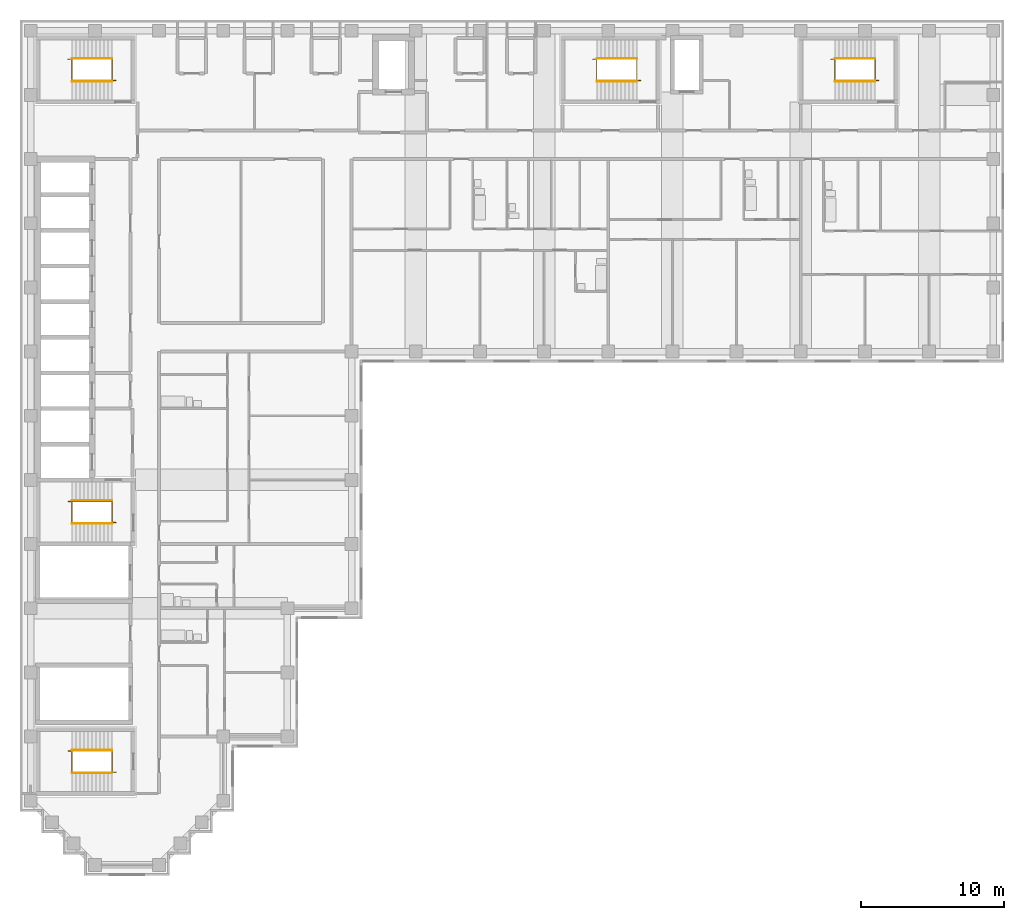
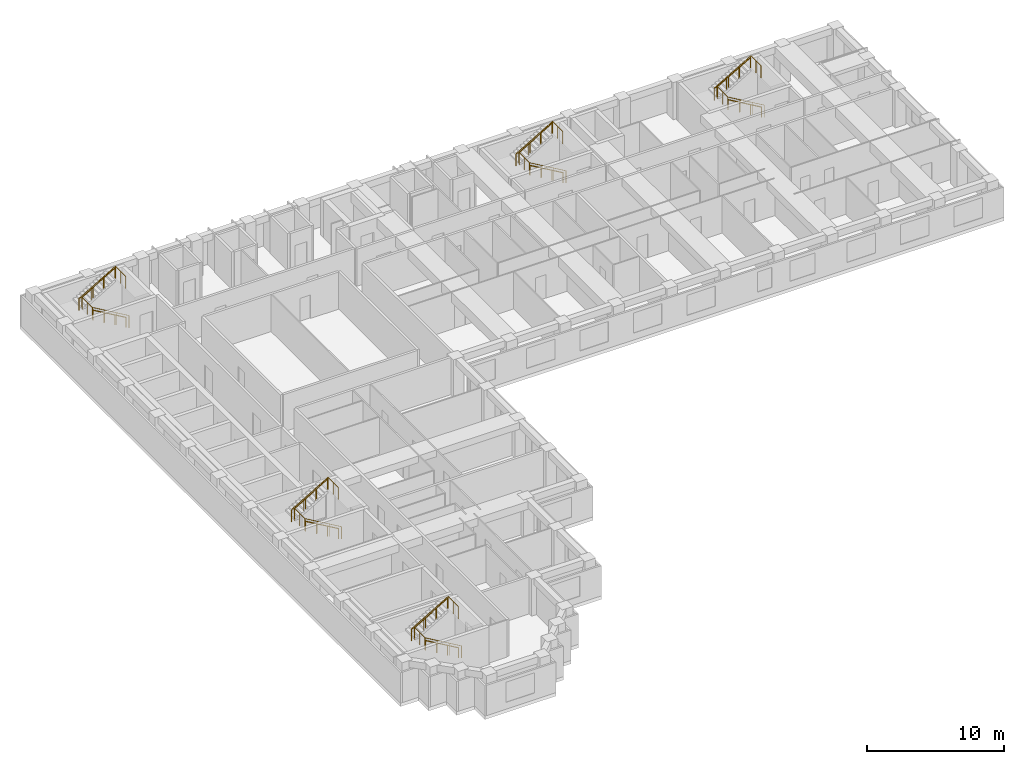
# One storey, part 10 of 11: 15 railings.
"""IFC4 building model written with IfcOpenShell, lengths in metres."""

from ifc_helpers import new_model, si_unit, direction, frame, origin, origin_2d, place, context, subcontext, project, spatial, circle, extrude, material, type_object, element, save


model = new_model("IFC4")

# Units and contexts
model_context = context("Model", 3, precision=1e-05, world=origin(), true_north=direction((0.0, 1.0)))
body_context = subcontext(model_context, "Body", "Model", "MODEL_VIEW")
ifc_project = project(units=[si_unit("LENGTHUNIT", "METRE"), si_unit("AREAUNIT", "SQUARE_METRE"), si_unit("VOLUMEUNIT", "CUBIC_METRE"), si_unit("PLANEANGLEUNIT", "RADIAN"), si_unit("MASSUNIT", "GRAM", prefix="KILO")], contexts=[model_context])

# Site, building, storey
site_placement = place(None, origin())
site = spatial("IfcSite", under=ifc_project, at=site_placement, CompositionType="ELEMENT")
building_placement = place(site_placement, origin())
building = spatial("IfcBuilding", under=site, at=building_placement, Name="Firuza Court", CompositionType="ELEMENT")
storey_placement = place(building_placement, frame((0.0, 0.0, 179.0)))
storey = spatial("IfcBuildingStorey", under=building, at=storey_placement, Name="L45", CompositionType="ELEMENT", Elevation=179.0)

# Railings
ifc_material_1 = material(Name="Steel S355", Category="steel")
railing_type_1 = type_object("IfcRailingType", Name="Handrail 900", PredefinedType="HANDRAIL", material=ifc_material_1)
railing_1_placement = place(storey_placement, frame((42.5, 54.949951171875, 0.16357421875)))
element("IfcRailing", 1, at=railing_1_placement, inside=storey, type_object=railing_type_1, Name="Handrail S1 flight 1", PredefinedType="HANDRAIL", context=body_context, shape_type="SweptSolid", body=[
    extrude(circle(Radius=0.02490234375, at=origin_2d()), frame((0.0, 0.0, 0.875), z_axis=(-0.863360870873, 0.0, 0.504586966384), x_axis=(0.0, -1.0, 0.0)), (0.0, 0.0, 1.0), 3.2431640625),
    extrude(circle(Radius=0.02001953125, at=origin_2d()), origin(), (0.0, 0.0, 1.0), 0.849853515625),
    extrude(circle(Radius=0.02001953125, at=origin_2d()), frame((-0.933349609375, 0.0, 0.54541015625)), (0.0, 0.0, 1.0), 0.849853515625),
    extrude(circle(Radius=0.02001953125, at=origin_2d()), frame((-1.86669921875, 0.0, 1.091064453125)), (0.0, 0.0, 1.0), 0.849853515625),
    extrude(circle(Radius=0.02001953125, at=origin_2d()), frame((-2.800048828125, 0.0, 1.636474609375)), (0.0, 0.0, 1.0), 0.849853515625),
])
railing_2_placement = place(storey_placement, frame((39.699951171875, 56.550048828125, 1.963623046875)))
element("IfcRailing", 2, at=railing_2_placement, inside=storey, type_object=railing_type_1, Name="Handrail S1 flight 2", PredefinedType="HANDRAIL", context=body_context, shape_type="SweptSolid", body=[
    extrude(circle(Radius=0.02490234375, at=origin_2d()), frame((0.0, 0.0, 0.875), z_axis=(0.863360870873, 0.0, 0.504586966384), x_axis=(0.0, 1.0, 0.0)), (0.0, 0.0, 1.0), 3.2431640625),
    extrude(circle(Radius=0.02001953125, at=origin_2d()), origin(), (0.0, 0.0, 1.0), 0.849853515625),
    extrude(circle(Radius=0.02001953125, at=origin_2d()), frame((0.933349609375, 0.0, 0.54541015625)), (0.0, 0.0, 1.0), 0.849853515625),
    extrude(circle(Radius=0.02001953125, at=origin_2d()), frame((1.86669921875, 0.0, 1.091064453125)), (0.0, 0.0, 1.0), 0.849853515625),
    extrude(circle(Radius=0.02001953125, at=origin_2d()), frame((2.800048828125, 0.0, 1.636474609375)), (0.0, 0.0, 1.0), 0.849853515625),
])
railing_3_placement = place(storey_placement, frame((5.699951171875, 23.949951171875, 0.16357421875)))
element("IfcRailing", 3, at=railing_3_placement, inside=storey, type_object=railing_type_1, Name="Handrail S2 flight 1", PredefinedType="HANDRAIL", context=body_context, shape_type="SweptSolid", body=[
    extrude(circle(Radius=0.02490234375, at=origin_2d()), frame((0.0, 0.0, 0.875), z_axis=(-0.863360870873, 0.0, 0.504586966384), x_axis=(0.0, -1.0, 0.0)), (0.0, 0.0, 1.0), 3.2431640625),
    extrude(circle(Radius=0.02001953125, at=origin_2d()), origin(), (0.0, 0.0, 1.0), 0.849853515625),
    extrude(circle(Radius=0.02001953125, at=origin_2d()), frame((-0.933349609375, 0.0, 0.54541015625)), (0.0, 0.0, 1.0), 0.849853515625),
    extrude(circle(Radius=0.02001953125, at=origin_2d()), frame((-1.86669921875, 0.0, 1.091064453125)), (0.0, 0.0, 1.0), 0.849853515625),
    extrude(circle(Radius=0.02001953125, at=origin_2d()), frame((-2.800048828125, 0.0, 1.636474609375)), (0.0, 0.0, 1.0), 0.849853515625),
])
railing_4_placement = place(storey_placement, frame((2.89990234375, 25.550048828125, 1.963623046875)))
element("IfcRailing", 4, at=railing_4_placement, inside=storey, type_object=railing_type_1, Name="Handrail S2 flight 2", PredefinedType="HANDRAIL", context=body_context, shape_type="SweptSolid", body=[
    extrude(circle(Radius=0.02490234375, at=origin_2d()), frame((0.0, 0.0, 0.875), z_axis=(0.863360870873, 0.0, 0.504586966384), x_axis=(0.0, 1.0, 0.0)), (0.0, 0.0, 1.0), 3.2431640625),
    extrude(circle(Radius=0.02001953125, at=origin_2d()), origin(), (0.0, 0.0, 1.0), 0.849853515625),
    extrude(circle(Radius=0.02001953125, at=origin_2d()), frame((0.933349609375, 0.0, 0.54541015625)), (0.0, 0.0, 1.0), 0.849853515625),
    extrude(circle(Radius=0.02001953125, at=origin_2d()), frame((1.86669921875, 0.0, 1.091064453125)), (0.0, 0.0, 1.0), 0.849853515625),
    extrude(circle(Radius=0.02001953125, at=origin_2d()), frame((2.800048828125, 0.0, 1.636474609375)), (0.0, 0.0, 1.0), 0.849853515625),
])
railing_5_placement = place(storey_placement, frame((5.699951171875, 54.949951171875, 0.16357421875)))
element("IfcRailing", 5, at=railing_5_placement, inside=storey, type_object=railing_type_1, Name="Handrail S3 flight 1", PredefinedType="HANDRAIL", context=body_context, shape_type="SweptSolid", body=[
    extrude(circle(Radius=0.02490234375, at=origin_2d()), frame((0.0, 0.0, 0.875), z_axis=(-0.863360870873, 0.0, 0.504586966384), x_axis=(0.0, -1.0, 0.0)), (0.0, 0.0, 1.0), 3.2431640625),
    extrude(circle(Radius=0.02001953125, at=origin_2d()), origin(), (0.0, 0.0, 1.0), 0.849853515625),
    extrude(circle(Radius=0.02001953125, at=origin_2d()), frame((-0.933349609375, 0.0, 0.54541015625)), (0.0, 0.0, 1.0), 0.849853515625),
    extrude(circle(Radius=0.02001953125, at=origin_2d()), frame((-1.86669921875, 0.0, 1.091064453125)), (0.0, 0.0, 1.0), 0.849853515625),
    extrude(circle(Radius=0.02001953125, at=origin_2d()), frame((-2.800048828125, 0.0, 1.636474609375)), (0.0, 0.0, 1.0), 0.849853515625),
])
railing_6_placement = place(storey_placement, frame((2.89990234375, 56.550048828125, 1.963623046875)))
element("IfcRailing", 6, at=railing_6_placement, inside=storey, type_object=railing_type_1, Name="Handrail S3 flight 2", PredefinedType="HANDRAIL", context=body_context, shape_type="SweptSolid", body=[
    extrude(circle(Radius=0.02490234375, at=origin_2d()), frame((0.0, 0.0, 0.875), z_axis=(0.863360870873, 0.0, 0.504586966384), x_axis=(0.0, 1.0, 0.0)), (0.0, 0.0, 1.0), 3.2431640625),
    extrude(circle(Radius=0.02001953125, at=origin_2d()), origin(), (0.0, 0.0, 1.0), 0.849853515625),
    extrude(circle(Radius=0.02001953125, at=origin_2d()), frame((0.933349609375, 0.0, 0.54541015625)), (0.0, 0.0, 1.0), 0.849853515625),
    extrude(circle(Radius=0.02001953125, at=origin_2d()), frame((1.86669921875, 0.0, 1.091064453125)), (0.0, 0.0, 1.0), 0.849853515625),
    extrude(circle(Radius=0.02001953125, at=origin_2d()), frame((2.800048828125, 0.0, 1.636474609375)), (0.0, 0.0, 1.0), 0.849853515625),
])
railing_7_placement = place(storey_placement, frame((59.199951171875, 54.949951171875, 0.16357421875)))
element("IfcRailing", 7, at=railing_7_placement, inside=storey, type_object=railing_type_1, Name="Handrail S4 flight 1", PredefinedType="HANDRAIL", context=body_context, shape_type="SweptSolid", body=[
    extrude(circle(Radius=0.02490234375, at=origin_2d()), frame((0.0, 0.0, 0.875), z_axis=(-0.863360870873, 0.0, 0.504586966384), x_axis=(0.0, -1.0, 0.0)), (0.0, 0.0, 1.0), 3.2431640625),
    extrude(circle(Radius=0.02001953125, at=origin_2d()), origin(), (0.0, 0.0, 1.0), 0.849853515625),
    extrude(circle(Radius=0.02001953125, at=origin_2d()), frame((-0.933349609375, 0.0, 0.54541015625)), (0.0, 0.0, 1.0), 0.849853515625),
    extrude(circle(Radius=0.02001953125, at=origin_2d()), frame((-1.86669921875, 0.0, 1.091064453125)), (0.0, 0.0, 1.0), 0.849853515625),
    extrude(circle(Radius=0.02001953125, at=origin_2d()), frame((-2.800048828125, 0.0, 1.636474609375)), (0.0, 0.0, 1.0), 0.849853515625),
])
railing_8_placement = place(storey_placement, frame((56.39990234375, 56.550048828125, 1.963623046875)))
element("IfcRailing", 8, at=railing_8_placement, inside=storey, type_object=railing_type_1, Name="Handrail S4 flight 2", PredefinedType="HANDRAIL", context=body_context, shape_type="SweptSolid", body=[
    extrude(circle(Radius=0.02490234375, at=origin_2d()), frame((0.0, 0.0, 0.875), z_axis=(0.863360870873, 0.0, 0.504586966384), x_axis=(0.0, 1.0, 0.0)), (0.0, 0.0, 1.0), 3.2431640625),
    extrude(circle(Radius=0.02001953125, at=origin_2d()), origin(), (0.0, 0.0, 1.0), 0.849853515625),
    extrude(circle(Radius=0.02001953125, at=origin_2d()), frame((0.933349609375, 0.0, 0.54541015625)), (0.0, 0.0, 1.0), 0.849853515625),
    extrude(circle(Radius=0.02001953125, at=origin_2d()), frame((1.86669921875, 0.0, 1.091064453125)), (0.0, 0.0, 1.0), 0.849853515625),
    extrude(circle(Radius=0.02001953125, at=origin_2d()), frame((2.800048828125, 0.0, 1.636474609375)), (0.0, 0.0, 1.0), 0.849853515625),
])
railing_9_placement = place(storey_placement, frame((5.699951171875, 6.449951171875, 0.16357421875)))
element("IfcRailing", 9, at=railing_9_placement, inside=storey, type_object=railing_type_1, Name="Handrail S5 flight 1", PredefinedType="HANDRAIL", context=body_context, shape_type="SweptSolid", body=[
    extrude(circle(Radius=0.02490234375, at=origin_2d()), frame((0.0, 0.0, 0.875), z_axis=(-0.863360870873, 0.0, 0.504586966384), x_axis=(0.0, -1.0, 0.0)), (0.0, 0.0, 1.0), 3.2431640625),
    extrude(circle(Radius=0.02001953125, at=origin_2d()), origin(), (0.0, 0.0, 1.0), 0.849853515625),
    extrude(circle(Radius=0.02001953125, at=origin_2d()), frame((-0.933349609375, 0.0, 0.54541015625)), (0.0, 0.0, 1.0), 0.849853515625),
    extrude(circle(Radius=0.02001953125, at=origin_2d()), frame((-1.86669921875, 0.0, 1.091064453125)), (0.0, 0.0, 1.0), 0.849853515625),
    extrude(circle(Radius=0.02001953125, at=origin_2d()), frame((-2.800048828125, 0.0, 1.636474609375)), (0.0, 0.0, 1.0), 0.849853515625),
])
railing_10_placement = place(storey_placement, frame((2.89990234375, 8.050048828125, 1.963623046875)))
element("IfcRailing", 10, at=railing_10_placement, inside=storey, type_object=railing_type_1, Name="Handrail S5 flight 2", PredefinedType="HANDRAIL", context=body_context, shape_type="SweptSolid", body=[
    extrude(circle(Radius=0.02490234375, at=origin_2d()), frame((0.0, 0.0, 0.875), z_axis=(0.863360870873, 0.0, 0.504586966384), x_axis=(0.0, 1.0, 0.0)), (0.0, 0.0, 1.0), 3.2431640625),
    extrude(circle(Radius=0.02001953125, at=origin_2d()), origin(), (0.0, 0.0, 1.0), 0.849853515625),
    extrude(circle(Radius=0.02001953125, at=origin_2d()), frame((0.933349609375, 0.0, 0.54541015625)), (0.0, 0.0, 1.0), 0.849853515625),
    extrude(circle(Radius=0.02001953125, at=origin_2d()), frame((1.86669921875, 0.0, 1.091064453125)), (0.0, 0.0, 1.0), 0.849853515625),
    extrude(circle(Radius=0.02001953125, at=origin_2d()), frame((2.800048828125, 0.0, 1.636474609375)), (0.0, 0.0, 1.0), 0.849853515625),
])
ifc_material_2 = material(Name="Steel S355", Category="steel")
railing_type_2 = type_object("IfcRailingType", Name="Stair guard 1100", PredefinedType="GUARDRAIL", material=ifc_material_2)
railing_11_placement = place(storey_placement, frame((42.780029296875, 55.010009765625, 0.0)))
element("IfcRailing", 11, at=railing_11_placement, inside=storey, type_object=railing_type_2, Name="Stair well guard S1", PredefinedType="GUARDRAIL", context=body_context, shape_type="SweptSolid", body=[
    extrude(circle(Radius=0.02490234375, at=origin_2d()), frame((0.0, 0.0, 1.0751953125), z_axis=(-0.863371556955, 0.0, 0.504568681787), x_axis=(0.0, -1.0, 0.0)), (0.0, 0.0, 1.0), 3.5673828125),
    extrude(circle(Radius=0.02490234375, at=origin_2d()), frame((-3.080078125, 0.0, 2.875), z_axis=(0.0, 1.0, 0.0), x_axis=(-1.0, 0.0, 0.0)), (0.0, 0.0, 1.0), 1.47998046875),
    extrude(circle(Radius=0.02490234375, at=origin_2d()), frame((-3.080078125, 1.47998046875, 2.875), z_axis=(-1.0, 0.0, 0.0), x_axis=(0.0, -1.0, 0.0)), (0.0, 0.0, 1.0), 0.280029296875),
    extrude(circle(Radius=0.02490234375, at=origin_2d()), frame((-3.360107421875, 1.47998046875, 2.875), z_axis=(0.863371556955, 0.0, 0.504568681787), x_axis=(0.0, 1.0, 0.0)), (0.0, 0.0, 1.0), 3.5673828125),
    extrude(circle(Radius=0.02490234375, at=origin_2d()), frame((-0.280029296875, 1.47998046875, 4.67529296875), z_axis=(0.0, -1.0, 0.0), x_axis=(1.0, 0.0, 0.0)), (0.0, 0.0, 1.0), 1.47998046875),
    extrude(circle(Radius=0.02490234375, at=origin_2d()), origin(), (0.0, 0.0, 1.0), 1.050048828125),
    extrude(circle(Radius=0.02490234375, at=origin_2d()), frame((-1.026611328125, 0.0, 0.60009765625)), (0.0, 0.0, 1.0), 1.050048828125),
    extrude(circle(Radius=0.02490234375, at=origin_2d()), frame((-2.053466796875, 0.0, 1.199951171875)), (0.0, 0.0, 1.0), 1.050048828125),
    extrude(circle(Radius=0.02490234375, at=origin_2d()), frame((-3.080078125, 0.0, 1.800048828125)), (0.0, 0.0, 1.0), 1.050048828125),
    extrude(circle(Radius=0.02490234375, at=origin_2d()), frame((-3.080078125, 0.739990234375, 1.800048828125)), (0.0, 0.0, 1.0), 1.050048828125),
    extrude(circle(Radius=0.02490234375, at=origin_2d()), frame((-3.080078125, 1.47998046875, 1.800048828125)), (0.0, 0.0, 1.0), 1.050048828125),
    extrude(circle(Radius=0.02490234375, at=origin_2d()), frame((-3.360107421875, 1.47998046875, 1.800048828125)), (0.0, 0.0, 1.0), 1.050048828125),
    extrude(circle(Radius=0.02490234375, at=origin_2d()), frame((-2.33349609375, 1.47998046875, 2.400146484375)), (0.0, 0.0, 1.0), 1.050048828125),
    extrude(circle(Radius=0.02490234375, at=origin_2d()), frame((-1.306640625, 1.47998046875, 3.0)), (0.0, 0.0, 1.0), 1.050048828125),
    extrude(circle(Radius=0.02490234375, at=origin_2d()), frame((-0.280029296875, 1.47998046875, 3.60009765625)), (0.0, 0.0, 1.0), 1.050048828125),
    extrude(circle(Radius=0.02490234375, at=origin_2d()), frame((-0.280029296875, 0.739990234375, 3.60009765625)), (0.0, 0.0, 1.0), 1.050048828125),
    extrude(circle(Radius=0.02490234375, at=origin_2d()), frame((-0.280029296875, 0.0, 3.60009765625)), (0.0, 0.0, 1.0), 1.050048828125),
])
railing_12_placement = place(storey_placement, frame((5.97998046875, 24.010009765625, 0.0)))
element("IfcRailing", 12, at=railing_12_placement, inside=storey, type_object=railing_type_2, Name="Stair well guard S2", PredefinedType="GUARDRAIL", context=body_context, shape_type="SweptSolid", body=[
    extrude(circle(Radius=0.02490234375, at=origin_2d()), frame((0.0, 0.0, 1.0751953125), z_axis=(-0.863371556955, 0.0, 0.504568681787), x_axis=(0.0, -1.0, 0.0)), (0.0, 0.0, 1.0), 3.5673828125),
    extrude(circle(Radius=0.02490234375, at=origin_2d()), frame((-3.080078125, 0.0, 2.875), z_axis=(0.0, 1.0, 0.0), x_axis=(-1.0, 0.0, 0.0)), (0.0, 0.0, 1.0), 1.47998046875),
    extrude(circle(Radius=0.02490234375, at=origin_2d()), frame((-3.080078125, 1.47998046875, 2.875), z_axis=(-1.0, 0.0, 0.0), x_axis=(0.0, -1.0, 0.0)), (0.0, 0.0, 1.0), 0.27978515625),
    extrude(circle(Radius=0.02490234375, at=origin_2d()), frame((-3.35986328125, 1.47998046875, 2.875), z_axis=(0.863354132664, 0.0, 0.504598495452), x_axis=(0.0, 1.0, 0.0)), (0.0, 0.0, 1.0), 3.5673828125),
    extrude(circle(Radius=0.02490234375, at=origin_2d()), frame((-0.280029296875, 1.47998046875, 4.67529296875), z_axis=(0.0, -1.0, 0.0), x_axis=(1.0, 0.0, 0.0)), (0.0, 0.0, 1.0), 1.47998046875),
    extrude(circle(Radius=0.02490234375, at=origin_2d()), origin(), (0.0, 0.0, 1.0), 1.050048828125),
    extrude(circle(Radius=0.02490234375, at=origin_2d()), frame((-1.026611328125, 0.0, 0.60009765625)), (0.0, 0.0, 1.0), 1.050048828125),
    extrude(circle(Radius=0.02490234375, at=origin_2d()), frame((-2.053466796875, 0.0, 1.199951171875)), (0.0, 0.0, 1.0), 1.050048828125),
    extrude(circle(Radius=0.02490234375, at=origin_2d()), frame((-3.080078125, 0.0, 1.800048828125)), (0.0, 0.0, 1.0), 1.050048828125),
    extrude(circle(Radius=0.02490234375, at=origin_2d()), frame((-3.080078125, 0.739990234375, 1.800048828125)), (0.0, 0.0, 1.0), 1.050048828125),
    extrude(circle(Radius=0.02490234375, at=origin_2d()), frame((-3.080078125, 1.47998046875, 1.800048828125)), (0.0, 0.0, 1.0), 1.050048828125),
    extrude(circle(Radius=0.02490234375, at=origin_2d()), frame((-3.35986328125, 1.47998046875, 1.800048828125)), (0.0, 0.0, 1.0), 1.050048828125),
    extrude(circle(Radius=0.02490234375, at=origin_2d()), frame((-2.333251953125, 1.47998046875, 2.400146484375)), (0.0, 0.0, 1.0), 1.050048828125),
    extrude(circle(Radius=0.02490234375, at=origin_2d()), frame((-1.306640625, 1.47998046875, 3.0)), (0.0, 0.0, 1.0), 1.050048828125),
    extrude(circle(Radius=0.02490234375, at=origin_2d()), frame((-0.280029296875, 1.47998046875, 3.60009765625)), (0.0, 0.0, 1.0), 1.050048828125),
    extrude(circle(Radius=0.02490234375, at=origin_2d()), frame((-0.280029296875, 0.739990234375, 3.60009765625)), (0.0, 0.0, 1.0), 1.050048828125),
    extrude(circle(Radius=0.02490234375, at=origin_2d()), frame((-0.280029296875, 0.0, 3.60009765625)), (0.0, 0.0, 1.0), 1.050048828125),
])
railing_13_placement = place(storey_placement, frame((5.97998046875, 55.010009765625, 0.0)))
element("IfcRailing", 13, at=railing_13_placement, inside=storey, type_object=railing_type_2, Name="Stair well guard S3", PredefinedType="GUARDRAIL", context=body_context, shape_type="SweptSolid", body=[
    extrude(circle(Radius=0.02490234375, at=origin_2d()), frame((0.0, 0.0, 1.0751953125), z_axis=(-0.863371556955, 0.0, 0.504568681787), x_axis=(0.0, -1.0, 0.0)), (0.0, 0.0, 1.0), 3.5673828125),
    extrude(circle(Radius=0.02490234375, at=origin_2d()), frame((-3.080078125, 0.0, 2.875), z_axis=(0.0, 1.0, 0.0), x_axis=(-1.0, 0.0, 0.0)), (0.0, 0.0, 1.0), 1.47998046875),
    extrude(circle(Radius=0.02490234375, at=origin_2d()), frame((-3.080078125, 1.47998046875, 2.875), z_axis=(-1.0, 0.0, 0.0), x_axis=(0.0, -1.0, 0.0)), (0.0, 0.0, 1.0), 0.27978515625),
    extrude(circle(Radius=0.02490234375, at=origin_2d()), frame((-3.35986328125, 1.47998046875, 2.875), z_axis=(0.863354132664, 0.0, 0.504598495452), x_axis=(0.0, 1.0, 0.0)), (0.0, 0.0, 1.0), 3.5673828125),
    extrude(circle(Radius=0.02490234375, at=origin_2d()), frame((-0.280029296875, 1.47998046875, 4.67529296875), z_axis=(0.0, -1.0, 0.0), x_axis=(1.0, 0.0, 0.0)), (0.0, 0.0, 1.0), 1.47998046875),
    extrude(circle(Radius=0.02490234375, at=origin_2d()), origin(), (0.0, 0.0, 1.0), 1.050048828125),
    extrude(circle(Radius=0.02490234375, at=origin_2d()), frame((-1.026611328125, 0.0, 0.60009765625)), (0.0, 0.0, 1.0), 1.050048828125),
    extrude(circle(Radius=0.02490234375, at=origin_2d()), frame((-2.053466796875, 0.0, 1.199951171875)), (0.0, 0.0, 1.0), 1.050048828125),
    extrude(circle(Radius=0.02490234375, at=origin_2d()), frame((-3.080078125, 0.0, 1.800048828125)), (0.0, 0.0, 1.0), 1.050048828125),
    extrude(circle(Radius=0.02490234375, at=origin_2d()), frame((-3.080078125, 0.739990234375, 1.800048828125)), (0.0, 0.0, 1.0), 1.050048828125),
    extrude(circle(Radius=0.02490234375, at=origin_2d()), frame((-3.080078125, 1.47998046875, 1.800048828125)), (0.0, 0.0, 1.0), 1.050048828125),
    extrude(circle(Radius=0.02490234375, at=origin_2d()), frame((-3.35986328125, 1.47998046875, 1.800048828125)), (0.0, 0.0, 1.0), 1.050048828125),
    extrude(circle(Radius=0.02490234375, at=origin_2d()), frame((-2.333251953125, 1.47998046875, 2.400146484375)), (0.0, 0.0, 1.0), 1.050048828125),
    extrude(circle(Radius=0.02490234375, at=origin_2d()), frame((-1.306640625, 1.47998046875, 3.0)), (0.0, 0.0, 1.0), 1.050048828125),
    extrude(circle(Radius=0.02490234375, at=origin_2d()), frame((-0.280029296875, 1.47998046875, 3.60009765625)), (0.0, 0.0, 1.0), 1.050048828125),
    extrude(circle(Radius=0.02490234375, at=origin_2d()), frame((-0.280029296875, 0.739990234375, 3.60009765625)), (0.0, 0.0, 1.0), 1.050048828125),
    extrude(circle(Radius=0.02490234375, at=origin_2d()), frame((-0.280029296875, 0.0, 3.60009765625)), (0.0, 0.0, 1.0), 1.050048828125),
])
railing_14_placement = place(storey_placement, frame((59.47998046875, 55.010009765625, 0.0)))
element("IfcRailing", 14, at=railing_14_placement, inside=storey, type_object=railing_type_2, Name="Stair well guard S4", PredefinedType="GUARDRAIL", context=body_context, shape_type="SweptSolid", body=[
    extrude(circle(Radius=0.02490234375, at=origin_2d()), frame((0.0, 0.0, 1.0751953125), z_axis=(-0.863371556955, 0.0, 0.504568681787), x_axis=(0.0, -1.0, 0.0)), (0.0, 0.0, 1.0), 3.5673828125),
    extrude(circle(Radius=0.02490234375, at=origin_2d()), frame((-3.080078125, 0.0, 2.875), z_axis=(0.0, 1.0, 0.0), x_axis=(-1.0, 0.0, 0.0)), (0.0, 0.0, 1.0), 1.47998046875),
    extrude(circle(Radius=0.02490234375, at=origin_2d()), frame((-3.080078125, 1.47998046875, 2.875), z_axis=(-1.0, 0.0, 0.0), x_axis=(0.0, -1.0, 0.0)), (0.0, 0.0, 1.0), 0.27978515625),
    extrude(circle(Radius=0.02490234375, at=origin_2d()), frame((-3.35986328125, 1.47998046875, 2.875), z_axis=(0.863354132664, 0.0, 0.504598495452), x_axis=(0.0, 1.0, 0.0)), (0.0, 0.0, 1.0), 3.5673828125),
    extrude(circle(Radius=0.02490234375, at=origin_2d()), frame((-0.280029296875, 1.47998046875, 4.67529296875), z_axis=(0.0, -1.0, 0.0), x_axis=(1.0, 0.0, 0.0)), (0.0, 0.0, 1.0), 1.47998046875),
    extrude(circle(Radius=0.02490234375, at=origin_2d()), origin(), (0.0, 0.0, 1.0), 1.050048828125),
    extrude(circle(Radius=0.02490234375, at=origin_2d()), frame((-1.026611328125, 0.0, 0.60009765625)), (0.0, 0.0, 1.0), 1.050048828125),
    extrude(circle(Radius=0.02490234375, at=origin_2d()), frame((-2.053466796875, 0.0, 1.199951171875)), (0.0, 0.0, 1.0), 1.050048828125),
    extrude(circle(Radius=0.02490234375, at=origin_2d()), frame((-3.080078125, 0.0, 1.800048828125)), (0.0, 0.0, 1.0), 1.050048828125),
    extrude(circle(Radius=0.02490234375, at=origin_2d()), frame((-3.080078125, 0.739990234375, 1.800048828125)), (0.0, 0.0, 1.0), 1.050048828125),
    extrude(circle(Radius=0.02490234375, at=origin_2d()), frame((-3.080078125, 1.47998046875, 1.800048828125)), (0.0, 0.0, 1.0), 1.050048828125),
    extrude(circle(Radius=0.02490234375, at=origin_2d()), frame((-3.35986328125, 1.47998046875, 1.800048828125)), (0.0, 0.0, 1.0), 1.050048828125),
    extrude(circle(Radius=0.02490234375, at=origin_2d()), frame((-2.333251953125, 1.47998046875, 2.400146484375)), (0.0, 0.0, 1.0), 1.050048828125),
    extrude(circle(Radius=0.02490234375, at=origin_2d()), frame((-1.306640625, 1.47998046875, 3.0)), (0.0, 0.0, 1.0), 1.050048828125),
    extrude(circle(Radius=0.02490234375, at=origin_2d()), frame((-0.280029296875, 1.47998046875, 3.60009765625)), (0.0, 0.0, 1.0), 1.050048828125),
    extrude(circle(Radius=0.02490234375, at=origin_2d()), frame((-0.280029296875, 0.739990234375, 3.60009765625)), (0.0, 0.0, 1.0), 1.050048828125),
    extrude(circle(Radius=0.02490234375, at=origin_2d()), frame((-0.280029296875, 0.0, 3.60009765625)), (0.0, 0.0, 1.0), 1.050048828125),
])
railing_15_placement = place(storey_placement, frame((5.97998046875, 6.510009765625, 0.0)))
element("IfcRailing", 15, at=railing_15_placement, inside=storey, type_object=railing_type_2, Name="Stair well guard S5", PredefinedType="GUARDRAIL", context=body_context, shape_type="SweptSolid", body=[
    extrude(circle(Radius=0.02490234375, at=origin_2d()), frame((0.0, 0.0, 1.0751953125), z_axis=(-0.863371556955, 0.0, 0.504568681787), x_axis=(0.0, -1.0, 0.0)), (0.0, 0.0, 1.0), 3.5673828125),
    extrude(circle(Radius=0.02490234375, at=origin_2d()), frame((-3.080078125, 0.0, 2.875), z_axis=(0.0, 1.0, 0.0), x_axis=(-1.0, 0.0, 0.0)), (0.0, 0.0, 1.0), 1.47998046875),
    extrude(circle(Radius=0.02490234375, at=origin_2d()), frame((-3.080078125, 1.47998046875, 2.875), z_axis=(-1.0, 0.0, 0.0), x_axis=(0.0, -1.0, 0.0)), (0.0, 0.0, 1.0), 0.27978515625),
    extrude(circle(Radius=0.02490234375, at=origin_2d()), frame((-3.35986328125, 1.47998046875, 2.875), z_axis=(0.863354132664, 0.0, 0.504598495452), x_axis=(0.0, 1.0, 0.0)), (0.0, 0.0, 1.0), 3.5673828125),
    extrude(circle(Radius=0.02490234375, at=origin_2d()), frame((-0.280029296875, 1.47998046875, 4.67529296875), z_axis=(0.0, -1.0, 0.0), x_axis=(1.0, 0.0, 0.0)), (0.0, 0.0, 1.0), 1.47998046875),
    extrude(circle(Radius=0.02490234375, at=origin_2d()), origin(), (0.0, 0.0, 1.0), 1.050048828125),
    extrude(circle(Radius=0.02490234375, at=origin_2d()), frame((-1.026611328125, 0.0, 0.60009765625)), (0.0, 0.0, 1.0), 1.050048828125),
    extrude(circle(Radius=0.02490234375, at=origin_2d()), frame((-2.053466796875, 0.0, 1.199951171875)), (0.0, 0.0, 1.0), 1.050048828125),
    extrude(circle(Radius=0.02490234375, at=origin_2d()), frame((-3.080078125, 0.0, 1.800048828125)), (0.0, 0.0, 1.0), 1.050048828125),
    extrude(circle(Radius=0.02490234375, at=origin_2d()), frame((-3.080078125, 0.739990234375, 1.800048828125)), (0.0, 0.0, 1.0), 1.050048828125),
    extrude(circle(Radius=0.02490234375, at=origin_2d()), frame((-3.080078125, 1.47998046875, 1.800048828125)), (0.0, 0.0, 1.0), 1.050048828125),
    extrude(circle(Radius=0.02490234375, at=origin_2d()), frame((-3.35986328125, 1.47998046875, 1.800048828125)), (0.0, 0.0, 1.0), 1.050048828125),
    extrude(circle(Radius=0.02490234375, at=origin_2d()), frame((-2.333251953125, 1.47998046875, 2.400146484375)), (0.0, 0.0, 1.0), 1.050048828125),
    extrude(circle(Radius=0.02490234375, at=origin_2d()), frame((-1.306640625, 1.47998046875, 3.0)), (0.0, 0.0, 1.0), 1.050048828125),
    extrude(circle(Radius=0.02490234375, at=origin_2d()), frame((-0.280029296875, 1.47998046875, 3.60009765625)), (0.0, 0.0, 1.0), 1.050048828125),
    extrude(circle(Radius=0.02490234375, at=origin_2d()), frame((-0.280029296875, 0.739990234375, 3.60009765625)), (0.0, 0.0, 1.0), 1.050048828125),
    extrude(circle(Radius=0.02490234375, at=origin_2d()), frame((-0.280029296875, 0.0, 3.60009765625)), (0.0, 0.0, 1.0), 1.050048828125),
])

save(model, "model.ifc")
